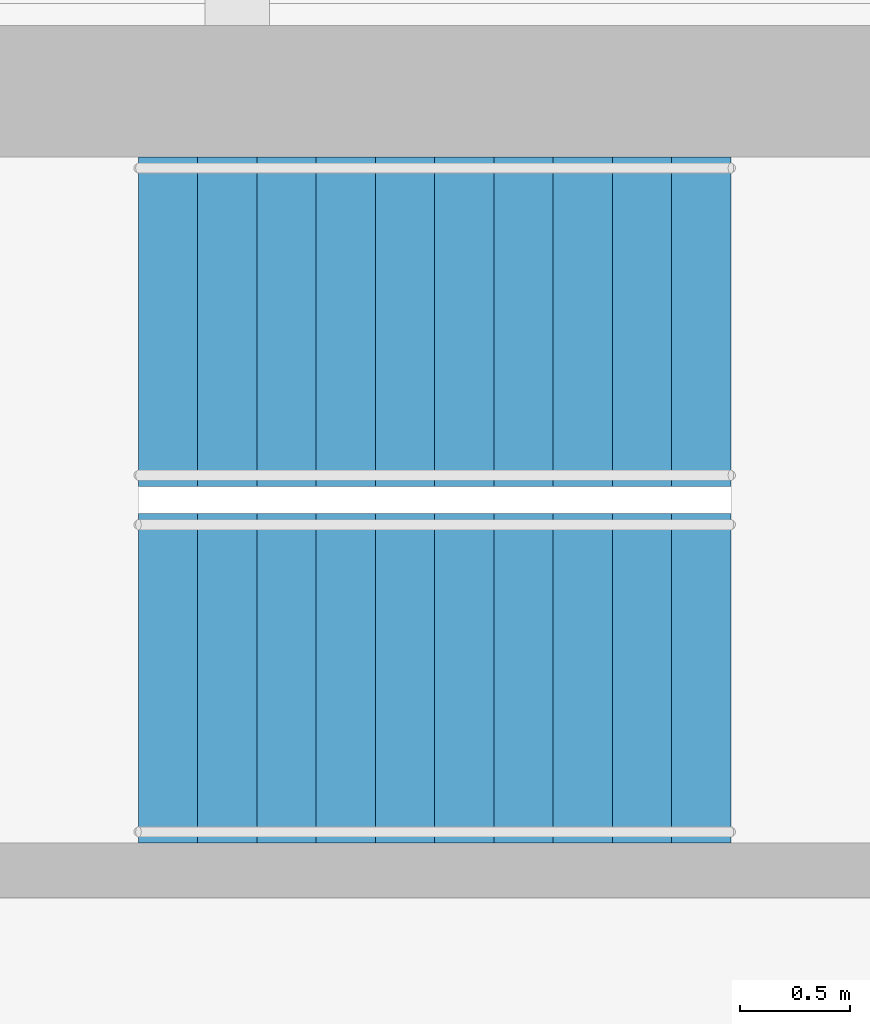
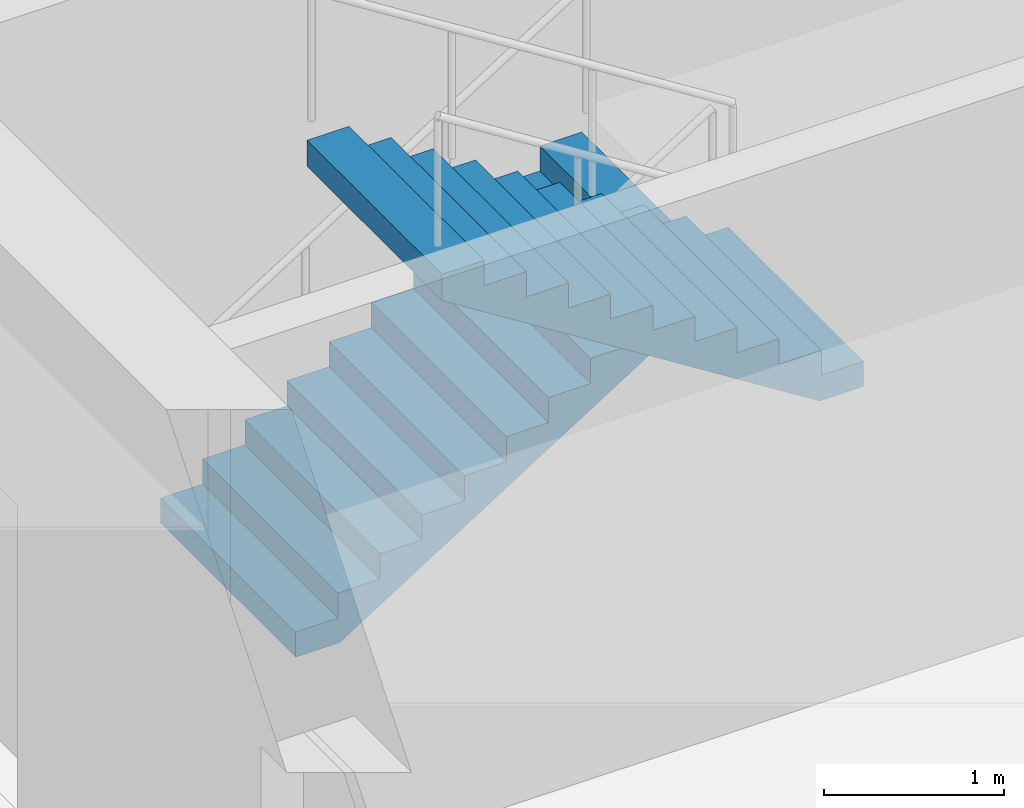
# One storey, part 13 of 18: 2 stair flights, 1 element without a shape of its own.
"""IFC4 building model written with IfcOpenShell, lengths in metres."""

from ifc_helpers import new_model, si_unit, direction, frame, origin, place, context, subcontext, project, spatial, polyline, outline, extrude, material, type_object, element, aggregate, save


model = new_model("IFC4")

# Units and contexts
model_context = context("Model", 3, precision=1e-05, world=origin(), true_north=direction((0.0, 1.0)))
body_context = subcontext(model_context, "Body", "Model", "MODEL_VIEW")
ifc_project = project(units=[si_unit("LENGTHUNIT", "METRE"), si_unit("AREAUNIT", "SQUARE_METRE"), si_unit("VOLUMEUNIT", "CUBIC_METRE"), si_unit("PLANEANGLEUNIT", "RADIAN"), si_unit("MASSUNIT", "GRAM", prefix="KILO")], contexts=[model_context])

# Site, building, storey
site_placement = place(None, origin())
site = spatial("IfcSite", under=ifc_project, at=site_placement, CompositionType="ELEMENT")
building_placement = place(site_placement, origin())
building = spatial("IfcBuilding", under=site, at=building_placement, Name="Msasa Ring Tower", CompositionType="ELEMENT")
storey_placement = place(building_placement, frame((0.0, 0.0, 204.550048828125)))
storey = spatial("IfcBuildingStorey", under=building, at=storey_placement, Name="L53", CompositionType="ELEMENT", Elevation=204.550048828125)

# Stair, stair flights
ifc_material_1 = material(Name="Concrete C40/50", Category="concrete")
stair_type = type_object("IfcStairType", Name="STC CORE STAIR 22 RISERS 170.5", PredefinedType="HALF_TURN_STAIR", material=ifc_material_1)
stair_placement = place(storey_placement, origin())
stair = element("IfcStair", 1, at=stair_placement, inside=storey, type_object=stair_type, Name="Core stair SEB L53", PredefinedType="HALF_TURN_STAIR")
ifc_material_2 = material(Name="Concrete C40/50", Category="concrete")
stair_flight_type = type_object("IfcStairFlightType", Name="ST11 CORE STAIR FLIGHT 1500 11 RISERS 170.5", PredefinedType="STRAIGHT", material=ifc_material_2)
stair_flight_1_placement = place(storey_placement, frame((10.800048828125, 5.699951171875, 0.0), z_axis=(0.0, 0.0, 1.0), x_axis=(1.0, 0.0, 0.0)))
stair_flight_1 = element("IfcStairFlight", 2, at=stair_flight_1_placement, type_object=stair_flight_type, Name="SEB flight 1", NumberOfRisers=11, NumberOfTreads=10, PredefinedType="STRAIGHT", RiserHeight=0.170454545, TreadLength=0.27, context=body_context, shape_type="SweptSolid", body=[
    extrude(outline(polyline([(0.0, 0.0), (0.0, 0.17041015625), (0.27001953125, 0.17041015625), (0.27001953125, 0.3408203125), (0.5400390625, 0.3408203125), (0.5400390625, 0.511474609375), (0.81005859375, 0.511474609375), (0.81005859375, 0.681884765625), (1.080078125, 0.681884765625), (1.080078125, 0.852294921875), (1.35009765625, 0.852294921875), (1.35009765625, 1.022705078125), (1.6201171875, 1.022705078125), (1.6201171875, 1.193115234375), (1.889892578125, 1.193115234375), (1.889892578125, 1.363525390625), (2.159912109375, 1.363525390625), (2.159912109375, 1.5341796875), (2.429931640625, 1.5341796875), (2.429931640625, 1.70458984375), (2.699951171875, 1.70458984375), (2.699951171875, 1.875), (2.699951171875, 1.52734375), (0.28076171875, 0.0), (0.0, 0.0)])), frame((0.0, 0.75, 0.0), z_axis=(0.0, -1.0, 0.0), x_axis=(1.0, 0.0, 0.0)), (0.0, 0.0, 1.0), 1.5),
])
stair_flight_2_placement = place(storey_placement, frame((13.5, 4.074951171875, 1.875), z_axis=(0.0, 0.0, 1.0), x_axis=(-1.0, 0.0, 0.0)))
stair_flight_2 = element("IfcStairFlight", 3, at=stair_flight_2_placement, type_object=stair_flight_type, Name="SEB flight 2", NumberOfRisers=11, NumberOfTreads=10, PredefinedType="STRAIGHT", RiserHeight=0.170454545, TreadLength=0.27, context=body_context, shape_type="SweptSolid", body=[
    extrude(outline(polyline([(0.0, 0.0), (0.0, 0.17041015625), (0.27001953125, 0.17041015625), (0.27001953125, 0.3408203125), (0.5400390625, 0.3408203125), (0.5400390625, 0.511474609375), (0.81005859375, 0.511474609375), (0.81005859375, 0.681884765625), (1.080078125, 0.681884765625), (1.080078125, 0.852294921875), (1.35009765625, 0.852294921875), (1.35009765625, 1.022705078125), (1.6201171875, 1.022705078125), (1.6201171875, 1.193115234375), (1.889892578125, 1.193115234375), (1.889892578125, 1.363525390625), (2.159912109375, 1.363525390625), (2.159912109375, 1.5341796875), (2.429931640625, 1.5341796875), (2.429931640625, 1.70458984375), (2.699951171875, 1.70458984375), (2.699951171875, 1.875), (2.699951171875, 1.52734375), (0.28076171875, 0.0), (0.0, 0.0)])), frame((0.0, 0.75, 0.0), z_axis=(0.0, -1.0, 0.0), x_axis=(1.0, 0.0, 0.0)), (0.0, 0.0, 1.0), 1.5),
])
aggregate(stair, [stair_flight_1, stair_flight_2])

save(model, "model.ifc")
